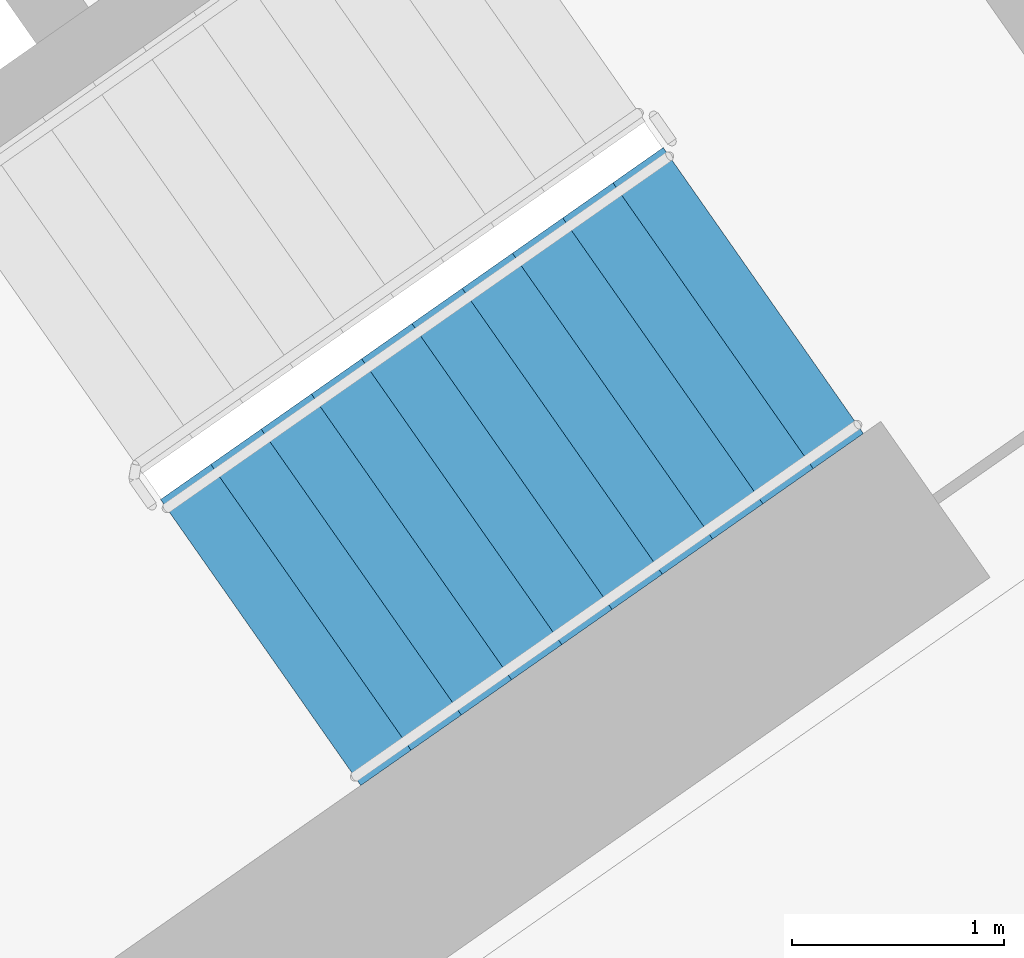
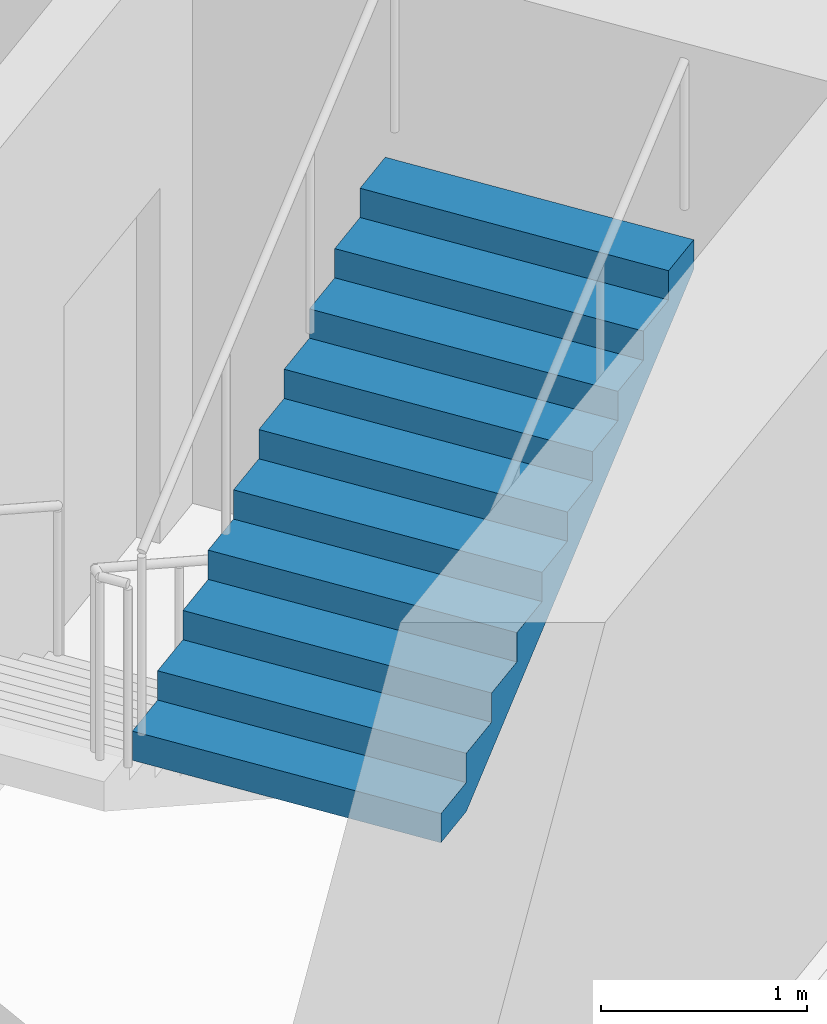
# One storey, part 15 of 29: 1 stair flight, 1 element without a shape of its own.
"""IFC4 building model written with IfcOpenShell, lengths in metres."""

import ifcopenshell
import ifcopenshell.guid

model = None  # the IFC model being written
_history = None  # IfcOwnerHistory: only IFC2X3 demands one
_inside = {}  # id of a spatial element -> (the spatial element, [elements in it])
_under = {}  # id of a project, library or spatial element -> (it, [spatial elements below it])
_declared = {}  # id of a project -> (the project, [libraries it declares])
_typed = {}  # id of a type object -> (the type object, [elements of that type])
_made_of = {}  # id of a material, layer set ... -> (it, [elements and type objects made of it])


def new_model(schema):
    """Start an empty IFC model of exactly this schema.

    Asked for "IFC4X3", IfcOpenShell would pick the latest addendum, in which some entities
    have other attributes; the version numbers below select the first issue.
    IFC2X3 requires an IfcOwnerHistory on every rooted entity: one is made here for all.
    """
    global model, _history
    if schema == "IFC4X3":
        model = ifcopenshell.file(schema_version=(4, 3, 0, 0))
    else:
        model = ifcopenshell.file(schema=schema)
    _inside.clear()
    _under.clear()
    _declared.clear()
    _typed.clear()
    _made_of.clear()
    _history = None
    if model.schema == "IFC2X3":
        org = make("IfcOrganization", Name="unknown")
        user = make(
            "IfcPersonAndOrganization",
            ThePerson=make("IfcPerson", FamilyName="unknown"),
            TheOrganization=org,
        )
        app = make(
            "IfcApplication",
            ApplicationDeveloper=org,
            Version="unknown",
            ApplicationFullName="unknown",
            ApplicationIdentifier="unknown",
        )
        _history = make(
            "IfcOwnerHistory",
            OwningUser=user,
            OwningApplication=app,
            ChangeAction="ADDED",
            CreationDate=0,
        )
    return model


def make(cls, **values):
    """One entity of the class cls with the attributes given. An attribute that is None is left unset."""
    return model.create_entity(
        cls, **{name: value for name, value in values.items() if value is not None}
    )


def rooted(cls, **values):
    """An entity with a GlobalId (a new one), such as an element, a storey or a relation."""
    return make(cls, GlobalId=ifcopenshell.guid.new(), OwnerHistory=_history, **values)


def si_unit(unit_type, name, prefix=None):
    """IfcSIUnit, for example si_unit("LENGTHUNIT", "METRE", prefix="MILLI")."""
    return make("IfcSIUnit", UnitType=unit_type, Prefix=prefix, Name=name)


def assignment(units):
    """IfcUnitAssignment: the units of a project."""
    return None if units is None else make("IfcUnitAssignment", Units=units)


def point(xyz):
    """IfcCartesianPoint."""
    return None if xyz is None else make("IfcCartesianPoint", Coordinates=xyz)


def direction(xyz):
    """IfcDirection."""
    return None if xyz is None else make("IfcDirection", DirectionRatios=xyz)


def frame(location, z_axis=None, x_axis=None):
    """IfcAxis2Placement3D, a coordinate frame: its origin and axes. An axis left out is left unset."""
    return make(
        "IfcAxis2Placement3D",
        Location=point(location),
        Axis=direction(z_axis),
        RefDirection=direction(x_axis),
    )


def origin():
    """The frame at (0, 0, 0) with its axes left unset."""
    return frame((0.0, 0.0, 0.0))


def place(relative_to, where):
    """IfcLocalPlacement: puts the frame where relative to a parent placement (None: the world)."""
    return make(
        "IfcLocalPlacement", PlacementRelTo=relative_to, RelativePlacement=where
    )


def context(
    kind, dimensions, precision=None, world=None, true_north=None, identifier=None
):
    """IfcGeometricRepresentationContext, for example the 3D "Model" context."""
    return make(
        "IfcGeometricRepresentationContext",
        ContextIdentifier=identifier,
        ContextType=kind,
        CoordinateSpaceDimension=dimensions,
        Precision=precision,
        WorldCoordinateSystem=world,
        TrueNorth=true_north,
    )


def subcontext(parent, identifier, kind, view, scale=None):
    """IfcGeometricRepresentationSubContext, for example "Body" below "Model"."""
    return make(
        "IfcGeometricRepresentationSubContext",
        ContextIdentifier=identifier,
        ContextType=kind,
        ParentContext=parent,
        TargetScale=scale,
        TargetView=view,
    )


def project(units=None, contexts=None):
    """IfcProject with its units and contexts."""
    return rooted(
        "IfcProject",
        Name="project",
        RepresentationContexts=contexts,
        UnitsInContext=assignment(units),
    )


def spatial(cls, under=None, at=None, **own):
    """A site, building, storey or space (cls), placed at a placement, below another one or the project."""
    s = rooted(cls, ObjectPlacement=at, **own)
    if under is not None:
        _under.setdefault(under.id(), (under, []))[1].append(s)
    return s


def faces_of(points, faces, orient=None, outer=None):
    """IfcFace entities. A face is a list of loops; a loop is a list of indices into points, from 0.

    orient and outer hold one flag for each loop. By default every Orientation is true, the
    first loop of a face is its IfcFaceOuterBound and the others are IfcFaceBound.
    """
    made = []
    for i, loops in enumerate(faces):
        bounds = []
        for j, loop in enumerate(loops):
            is_outer = j == 0 if outer is None else outer[i][j]
            bounds.append(
                make(
                    "IfcFaceOuterBound" if is_outer else "IfcFaceBound",
                    Bound=make("IfcPolyLoop", Polygon=[points[k] for k in loop]),
                    Orientation=True if orient is None else orient[i][j],
                )
            )
        made.append(make("IfcFace", Bounds=bounds))
    return made


def faceted_brep(points, faces, orient=None, outer=None, voids=None):
    """IfcFacetedBrep: a solid bounded by flat faces; with voids (closed shells), ...WithVoids."""
    shared = [point(p) for p in points]
    hull = make("IfcClosedShell", CfsFaces=faces_of(shared, faces, orient, outer))
    if voids is None:
        return make("IfcFacetedBrep", Outer=hull)
    return make(
        "IfcFacetedBrepWithVoids",
        Outer=hull,
        Voids=[
            make(cls, CfsFaces=faces_of(shared, fs, o, b)) for cls, fs, o, b in voids
        ],
    )


def shape(context_of_items, identifier, shape_type, items):
    """IfcShapeRepresentation: the items that make up one representation, for example the "Body"."""
    return make(
        "IfcShapeRepresentation",
        ContextOfItems=context_of_items,
        RepresentationIdentifier=identifier,
        RepresentationType=shape_type,
        Items=items,
    )


def material(Name=None, Category=None):
    """IfcMaterial."""
    return make("IfcMaterial", Name=Name, Category=Category)


def made_of(thing, what):
    """Note that an element or type object is made of a material, layer set ...; save() writes the relation."""
    if what is not None:
        _made_of.setdefault(what.id(), (what, []))[1].append(thing)
    return thing


def type_object(cls, material=None, **own):
    """A type object (cls), such as IfcWallType, which elements share."""
    return made_of(rooted(cls, **own), material)


def element(
    cls,
    number,
    at=None,
    inside=None,
    cuts=None,
    type_object=None,
    material=None,
    context=None,
    identifier="Body",
    shape_type=None,
    held_by="IfcProductDefinitionShape",
    body=None,
    shapes=None,
    **own,
):
    """One element of the class cls, such as IfcWall. Its Tag is "e" and its number.

    at: its placement. inside: the storey or other place that contains it. cuts: it is an
    opening in that element (IfcRelVoidsElement). A single representation is given by context,
    identifier, shape_type and body (its items); several are given by shapes. held_by: the class
    of the entity that holds the representations. save() writes the other relations.
    """
    e = rooted(cls, Tag="e%d" % number, ObjectPlacement=at, **own)
    if body is not None:
        shapes = [shape(context, identifier, shape_type, body)]
    if shapes is not None:
        e.Representation = make(held_by, Representations=shapes)
    if inside is not None:
        _inside.setdefault(inside.id(), (inside, []))[1].append(e)
    if cuts is not None:
        rooted(
            "IfcRelVoidsElement", RelatingBuildingElement=cuts, RelatedOpeningElement=e
        )
    if type_object is not None:
        _typed.setdefault(type_object.id(), (type_object, []))[1].append(e)
    return made_of(e, material)


def aggregate(whole, parts):
    """IfcRelAggregates: a whole, such as a stair, and the parts it consists of."""
    return rooted("IfcRelAggregates", RelatingObject=whole, RelatedObjects=parts)


def save(model, path):
    """Write the relations noted so far, then the file.

    IfcRelAggregates (storeys below a building ...), IfcRelContainedInSpatialStructure (elements
    in a storey), IfcRelDefinesByType, IfcRelAssociatesMaterial and IfcRelDeclares: one each for
    every whole, place, type object, material and project.
    """
    for whole, parts in _under.values():
        aggregate(whole, parts)
    for where, things in _inside.values():
        rooted(
            "IfcRelContainedInSpatialStructure",
            RelatedElements=things,
            RelatingStructure=where,
        )
    for kind, things in _typed.values():
        rooted("IfcRelDefinesByType", RelatedObjects=things, RelatingType=kind)
    for what, things in _made_of.values():
        rooted("IfcRelAssociatesMaterial", RelatedObjects=things, RelatingMaterial=what)
    for by, libraries in _declared.values():
        rooted("IfcRelDeclares", RelatingContext=by, RelatedDefinitions=libraries)
    model.write(path)


model = new_model("IFC4")

# Units and contexts
model_context = context("Model", 3, precision=1e-05, world=origin(), true_north=direction((0.0, 1.0)))
body_context = subcontext(model_context, "Body", "Model", "MODEL_VIEW")
ifc_project = project(units=[si_unit("LENGTHUNIT", "METRE"), si_unit("AREAUNIT", "SQUARE_METRE"), si_unit("VOLUMEUNIT", "CUBIC_METRE"), si_unit("PLANEANGLEUNIT", "RADIAN"), si_unit("MASSUNIT", "GRAM", prefix="KILO")], contexts=[model_context])

# Site, building, storey
site_placement = place(None, origin())
site = spatial("IfcSite", under=ifc_project, at=site_placement, CompositionType="ELEMENT")
building_placement = place(site_placement, origin())
building = spatial("IfcBuilding", under=site, at=building_placement, Name="Qamariyya Broadcast Tower", CompositionType="ELEMENT")
storey_placement = place(building_placement, frame((0.0, 0.0, 121.5)))
storey = spatial("IfcBuildingStorey", under=building, at=storey_placement, Name="L27", CompositionType="ELEMENT", Elevation=121.5)

# Stair, stair flight
ifc_material = material(Name="Concrete C50/60", Category="concrete")
stair_type = type_object("IfcStairType", Name="Exit stair 22 risers of 173 mm", PredefinedType="HALF_TURN_STAIR", material=ifc_material)
stair_placement = place(storey_placement, origin())
stair = element("IfcStair", 1, at=stair_placement, inside=storey, type_object=stair_type, Name="L27 Stair E1", PredefinedType="HALF_TURN_STAIR")
stair_flight_type = type_object("IfcStairFlightType", Name="Exit stair flight 11 risers of 173 mm", PredefinedType="STRAIGHT", material=ifc_material)
stair_flight_placement = place(storey_placement, frame((44.693359375, -58.64599609375, 1.89990234375), z_axis=(0.0, 0.0, 1.0), x_axis=(0.819152044289, 0.573576436351, 0.0)))
stair_flight = element("IfcStairFlight", 2, at=stair_flight_placement, type_object=stair_flight_type, Name="ST-E1 flight 2", NumberOfRisers=11, NumberOfTreads=10, PredefinedType="STRAIGHT", RiserHeight=0.172727273, TreadLength=0.29, context=body_context, shape_type="Brep", body=[
    faceted_brep([(0.0, 0.824951171875, 0.0), (0.0, 0.824951171875, 0.172607421875), (0.2900390625, 0.824951171875, 0.172607421875), (0.2900390625, 0.824951171875, 0.345458984375), (0.580078125, 0.824951171875, 0.345458984375), (0.580078125, 0.824951171875, 0.51806640625), (0.8701171875, 0.824951171875, 0.51806640625), (0.8701171875, 0.824951171875, 0.69091796875), (1.159912109375, 0.824951171875, 0.69091796875), (1.159912109375, 0.824951171875, 0.863525390625), (1.449951171875, 0.824951171875, 0.863525390625), (1.449951171875, 0.824951171875, 1.036376953125), (1.739990234375, 0.824951171875, 1.036376953125), (1.739990234375, 0.824951171875, 1.208984375), (2.030029296875, 0.824951171875, 1.208984375), (2.030029296875, 0.824951171875, 1.3818359375), (2.320068359375, 0.824951171875, 1.3818359375), (2.320068359375, 0.824951171875, 1.554443359375), (2.610107421875, 0.824951171875, 1.554443359375), (2.610107421875, 0.824951171875, 1.727294921875), (2.89990234375, 0.824951171875, 1.727294921875), (2.89990234375, 0.824951171875, 1.552734375), (0.29296875, 0.824951171875, 0.0), (0.29296875, -0.824951171875, 0.0), (2.89990234375, -0.824951171875, 1.552734375), (2.89990234375, -0.824951171875, 1.727294921875), (2.610107421875, -0.824951171875, 1.727294921875), (2.610107421875, -0.824951171875, 1.554443359375), (2.320068359375, -0.824951171875, 1.554443359375), (2.320068359375, -0.824951171875, 1.3818359375), (2.030029296875, -0.824951171875, 1.3818359375), (2.030029296875, -0.824951171875, 1.208984375), (1.739990234375, -0.824951171875, 1.208984375), (1.739990234375, -0.824951171875, 1.036376953125), (1.449951171875, -0.824951171875, 1.036376953125), (1.449951171875, -0.824951171875, 0.863525390625), (1.159912109375, -0.824951171875, 0.863525390625), (1.159912109375, -0.824951171875, 0.69091796875), (0.8701171875, -0.824951171875, 0.69091796875), (0.8701171875, -0.824951171875, 0.51806640625), (0.580078125, -0.824951171875, 0.51806640625), (0.580078125, -0.824951171875, 0.345458984375), (0.2900390625, -0.824951171875, 0.345458984375), (0.2900390625, -0.824951171875, 0.172607421875), (0.0, -0.824951171875, 0.172607421875), (0.0, -0.824951171875, 0.0), (0.0, 0.10009765625, 0.0), (0.0, 0.086669921875, 0.0), (0.0, 0.0732421875, 0.0), (0.0, 0.06005859375, 0.0), (0.0, 0.046630859375, 0.0), (0.0, 0.033447265625, 0.0), (0.0, 0.02001953125, 0.0), (0.0, 0.006591796875, 0.0), (0.0, -0.006591796875, 0.0), (0.0, -0.02001953125, 0.0), (0.0, -0.033447265625, 0.0), (0.0, -0.046630859375, 0.0), (0.0, -0.06005859375, 0.0), (0.0, -0.0732421875, 0.0), (0.0, -0.086669921875, 0.0), (0.0, -0.10009765625, 0.0), (0.0, -0.10009765625, 0.172607421875), (0.0, -0.086669921875, 0.172607421875), (0.0, -0.0732421875, 0.172607421875), (0.0, -0.06005859375, 0.172607421875), (0.0, -0.046630859375, 0.172607421875), (0.0, -0.033447265625, 0.172607421875), (0.0, -0.02001953125, 0.172607421875), (0.0, -0.006591796875, 0.172607421875), (0.0, 0.006591796875, 0.172607421875), (0.0, 0.02001953125, 0.172607421875), (0.0, 0.033447265625, 0.172607421875), (0.0, 0.046630859375, 0.172607421875), (0.0, 0.06005859375, 0.172607421875), (0.0, 0.0732421875, 0.172607421875), (0.0, 0.086669921875, 0.172607421875), (0.0, 0.10009765625, 0.172607421875), (0.2900390625, -0.10009765625, 0.172607421875), (0.2900390625, -0.086669921875, 0.172607421875), (0.2900390625, -0.0732421875, 0.172607421875), (0.2900390625, -0.06005859375, 0.172607421875), (0.2900390625, -0.046630859375, 0.172607421875), (0.2900390625, -0.033447265625, 0.172607421875), (0.2900390625, -0.02001953125, 0.172607421875), (0.2900390625, -0.006591796875, 0.172607421875), (0.2900390625, 0.006591796875, 0.172607421875), (0.2900390625, 0.02001953125, 0.172607421875), (0.2900390625, 0.033447265625, 0.172607421875), (0.2900390625, 0.046630859375, 0.172607421875), (0.2900390625, 0.06005859375, 0.172607421875), (0.2900390625, 0.0732421875, 0.172607421875), (0.2900390625, 0.086669921875, 0.172607421875), (0.2900390625, 0.10009765625, 0.172607421875), (0.2900390625, -0.10009765625, 0.345458984375), (0.2900390625, -0.086669921875, 0.345458984375), (0.2900390625, -0.0732421875, 0.345458984375), (0.2900390625, -0.06005859375, 0.345458984375), (0.2900390625, -0.046630859375, 0.345458984375), (0.2900390625, -0.033447265625, 0.345458984375), (0.2900390625, -0.02001953125, 0.345458984375), (0.2900390625, -0.006591796875, 0.345458984375), (0.2900390625, 0.006591796875, 0.345458984375), (0.2900390625, 0.02001953125, 0.345458984375), (0.2900390625, 0.033447265625, 0.345458984375), (0.2900390625, 0.046630859375, 0.345458984375), (0.2900390625, 0.06005859375, 0.345458984375), (0.2900390625, 0.0732421875, 0.345458984375), (0.2900390625, 0.086669921875, 0.345458984375), (0.2900390625, 0.10009765625, 0.345458984375), (0.580078125, -0.10009765625, 0.345458984375), (0.580078125, -0.086669921875, 0.345458984375), (0.580078125, -0.0732421875, 0.345458984375), (0.580078125, -0.06005859375, 0.345458984375), (0.580078125, -0.046630859375, 0.345458984375), (0.580078125, -0.033447265625, 0.345458984375), (0.580078125, -0.02001953125, 0.345458984375), (0.580078125, -0.006591796875, 0.345458984375), (0.580078125, 0.006591796875, 0.345458984375), (0.580078125, 0.02001953125, 0.345458984375), (0.580078125, 0.033447265625, 0.345458984375), (0.580078125, 0.046630859375, 0.345458984375), (0.580078125, 0.06005859375, 0.345458984375), (0.580078125, 0.0732421875, 0.345458984375), (0.580078125, 0.086669921875, 0.345458984375), (0.580078125, 0.10009765625, 0.345458984375), (0.580078125, -0.10009765625, 0.51806640625), (0.580078125, -0.086669921875, 0.51806640625), (0.580078125, -0.0732421875, 0.51806640625), (0.580078125, -0.06005859375, 0.51806640625), (0.580078125, -0.046630859375, 0.51806640625), (0.580078125, -0.033447265625, 0.51806640625), (0.580078125, -0.02001953125, 0.51806640625), (0.580078125, -0.006591796875, 0.51806640625), (0.580078125, 0.006591796875, 0.51806640625), (0.580078125, 0.02001953125, 0.51806640625), (0.580078125, 0.033447265625, 0.51806640625), (0.580078125, 0.046630859375, 0.51806640625), (0.580078125, 0.06005859375, 0.51806640625), (0.580078125, 0.0732421875, 0.51806640625), (0.580078125, 0.086669921875, 0.51806640625), (0.580078125, 0.10009765625, 0.51806640625), (0.8701171875, -0.10009765625, 0.51806640625), (0.8701171875, -0.086669921875, 0.51806640625), (0.8701171875, -0.0732421875, 0.51806640625), (0.8701171875, -0.06005859375, 0.51806640625), (0.8701171875, -0.046630859375, 0.51806640625), (0.8701171875, -0.033447265625, 0.51806640625), (0.8701171875, -0.02001953125, 0.51806640625), (0.8701171875, -0.006591796875, 0.51806640625), (0.8701171875, 0.006591796875, 0.51806640625), (0.8701171875, 0.02001953125, 0.51806640625), (0.8701171875, 0.033447265625, 0.51806640625), (0.8701171875, 0.046630859375, 0.51806640625), (0.8701171875, 0.06005859375, 0.51806640625), (0.8701171875, 0.0732421875, 0.51806640625), (0.8701171875, 0.086669921875, 0.51806640625), (0.8701171875, 0.10009765625, 0.51806640625), (0.8701171875, -0.10009765625, 0.69091796875), (0.8701171875, -0.086669921875, 0.69091796875), (0.8701171875, -0.0732421875, 0.69091796875), (0.8701171875, -0.06005859375, 0.69091796875), (0.8701171875, -0.046630859375, 0.69091796875), (0.8701171875, -0.033447265625, 0.69091796875), (0.8701171875, -0.02001953125, 0.69091796875), (0.8701171875, -0.006591796875, 0.69091796875), (0.8701171875, 0.006591796875, 0.69091796875), (0.8701171875, 0.02001953125, 0.69091796875), (0.8701171875, 0.033447265625, 0.69091796875), (0.8701171875, 0.046630859375, 0.69091796875), (0.8701171875, 0.06005859375, 0.69091796875), (0.8701171875, 0.0732421875, 0.69091796875), (0.8701171875, 0.086669921875, 0.69091796875), (0.8701171875, 0.10009765625, 0.69091796875), (1.159912109375, -0.10009765625, 0.69091796875), (1.159912109375, -0.086669921875, 0.69091796875), (1.159912109375, -0.0732421875, 0.69091796875), (1.159912109375, -0.06005859375, 0.69091796875), (1.159912109375, -0.046630859375, 0.69091796875), (1.159912109375, -0.033447265625, 0.69091796875), (1.159912109375, -0.02001953125, 0.69091796875), (1.159912109375, -0.006591796875, 0.69091796875), (1.159912109375, 0.006591796875, 0.69091796875), (1.159912109375, 0.02001953125, 0.69091796875), (1.159912109375, 0.033447265625, 0.69091796875), (1.159912109375, 0.046630859375, 0.69091796875), (1.159912109375, 0.06005859375, 0.69091796875), (1.159912109375, 0.0732421875, 0.69091796875), (1.159912109375, 0.086669921875, 0.69091796875), (1.159912109375, 0.10009765625, 0.69091796875), (1.159912109375, -0.10009765625, 0.863525390625), (1.159912109375, -0.086669921875, 0.863525390625), (1.159912109375, -0.0732421875, 0.863525390625), (1.159912109375, -0.06005859375, 0.863525390625), (1.159912109375, -0.046630859375, 0.863525390625), (1.159912109375, -0.033447265625, 0.863525390625), (1.159912109375, -0.02001953125, 0.863525390625), (1.159912109375, -0.006591796875, 0.863525390625), (1.159912109375, 0.006591796875, 0.863525390625), (1.159912109375, 0.02001953125, 0.863525390625), (1.159912109375, 0.033447265625, 0.863525390625), (1.159912109375, 0.046630859375, 0.863525390625), (1.159912109375, 0.06005859375, 0.863525390625), (1.159912109375, 0.0732421875, 0.863525390625), (1.159912109375, 0.086669921875, 0.863525390625), (1.159912109375, 0.10009765625, 0.863525390625), (1.449951171875, -0.10009765625, 0.863525390625), (1.449951171875, -0.086669921875, 0.863525390625), (1.449951171875, -0.0732421875, 0.863525390625), (1.449951171875, -0.06005859375, 0.863525390625), (1.449951171875, -0.046630859375, 0.863525390625), (1.449951171875, -0.033447265625, 0.863525390625), (1.449951171875, -0.02001953125, 0.863525390625), (1.449951171875, -0.006591796875, 0.863525390625), (1.449951171875, 0.006591796875, 0.863525390625), (1.449951171875, 0.02001953125, 0.863525390625), (1.449951171875, 0.033447265625, 0.863525390625), (1.449951171875, 0.046630859375, 0.863525390625), (1.449951171875, 0.06005859375, 0.863525390625), (1.449951171875, 0.0732421875, 0.863525390625), (1.449951171875, 0.086669921875, 0.863525390625), (1.449951171875, 0.10009765625, 0.863525390625), (1.449951171875, -0.10009765625, 1.036376953125), (1.449951171875, -0.086669921875, 1.036376953125), (1.449951171875, -0.0732421875, 1.036376953125), (1.449951171875, -0.06005859375, 1.036376953125), (1.449951171875, -0.046630859375, 1.036376953125), (1.449951171875, -0.033447265625, 1.036376953125), (1.449951171875, -0.02001953125, 1.036376953125), (1.449951171875, -0.006591796875, 1.036376953125), (1.449951171875, 0.006591796875, 1.036376953125), (1.449951171875, 0.02001953125, 1.036376953125), (1.449951171875, 0.033447265625, 1.036376953125), (1.449951171875, 0.046630859375, 1.036376953125), (1.449951171875, 0.06005859375, 1.036376953125), (1.449951171875, 0.0732421875, 1.036376953125), (1.449951171875, 0.086669921875, 1.036376953125), (1.449951171875, 0.10009765625, 1.036376953125), (1.739990234375, -0.10009765625, 1.036376953125), (1.739990234375, -0.086669921875, 1.036376953125), (1.739990234375, -0.0732421875, 1.036376953125), (1.739990234375, -0.06005859375, 1.036376953125), (1.739990234375, -0.046630859375, 1.036376953125), (1.739990234375, -0.033447265625, 1.036376953125), (1.739990234375, -0.02001953125, 1.036376953125), (1.739990234375, -0.006591796875, 1.036376953125), (1.739990234375, 0.006591796875, 1.036376953125), (1.739990234375, 0.02001953125, 1.036376953125), (1.739990234375, 0.033447265625, 1.036376953125), (1.739990234375, 0.046630859375, 1.036376953125), (1.739990234375, 0.06005859375, 1.036376953125), (1.739990234375, 0.0732421875, 1.036376953125), (1.739990234375, 0.086669921875, 1.036376953125), (1.739990234375, 0.10009765625, 1.036376953125), (1.739990234375, -0.10009765625, 1.208984375), (1.739990234375, -0.086669921875, 1.208984375), (1.739990234375, -0.0732421875, 1.208984375), (1.739990234375, -0.06005859375, 1.208984375), (1.739990234375, -0.046630859375, 1.208984375), (1.739990234375, -0.033447265625, 1.208984375), (1.739990234375, -0.02001953125, 1.208984375), (1.739990234375, -0.006591796875, 1.208984375), (1.739990234375, 0.006591796875, 1.208984375), (1.739990234375, 0.02001953125, 1.208984375), (1.739990234375, 0.033447265625, 1.208984375), (1.739990234375, 0.046630859375, 1.208984375), (1.739990234375, 0.06005859375, 1.208984375), (1.739990234375, 0.0732421875, 1.208984375), (1.739990234375, 0.086669921875, 1.208984375), (1.739990234375, 0.10009765625, 1.208984375), (2.030029296875, -0.10009765625, 1.208984375), (2.030029296875, -0.086669921875, 1.208984375), (2.030029296875, -0.0732421875, 1.208984375), (2.030029296875, -0.06005859375, 1.208984375), (2.030029296875, -0.046630859375, 1.208984375), (2.030029296875, -0.033447265625, 1.208984375), (2.030029296875, -0.02001953125, 1.208984375), (2.030029296875, -0.006591796875, 1.208984375), (2.030029296875, 0.006591796875, 1.208984375), (2.030029296875, 0.02001953125, 1.208984375), (2.030029296875, 0.033447265625, 1.208984375), (2.030029296875, 0.046630859375, 1.208984375), (2.030029296875, 0.06005859375, 1.208984375), (2.030029296875, 0.0732421875, 1.208984375), (2.030029296875, 0.086669921875, 1.208984375), (2.030029296875, 0.10009765625, 1.208984375), (2.030029296875, -0.10009765625, 1.3818359375), (2.030029296875, -0.086669921875, 1.3818359375), (2.030029296875, -0.0732421875, 1.3818359375), (2.030029296875, -0.06005859375, 1.3818359375), (2.030029296875, -0.046630859375, 1.3818359375), (2.030029296875, -0.033447265625, 1.3818359375), (2.030029296875, -0.02001953125, 1.3818359375), (2.030029296875, -0.006591796875, 1.3818359375), (2.030029296875, 0.006591796875, 1.3818359375), (2.030029296875, 0.02001953125, 1.3818359375), (2.030029296875, 0.033447265625, 1.3818359375), (2.030029296875, 0.046630859375, 1.3818359375), (2.030029296875, 0.06005859375, 1.3818359375), (2.030029296875, 0.0732421875, 1.3818359375), (2.030029296875, 0.086669921875, 1.3818359375), (2.030029296875, 0.10009765625, 1.3818359375), (2.320068359375, -0.10009765625, 1.3818359375), (2.320068359375, -0.086669921875, 1.3818359375), (2.320068359375, -0.0732421875, 1.3818359375), (2.320068359375, -0.06005859375, 1.3818359375), (2.320068359375, -0.046630859375, 1.3818359375), (2.320068359375, -0.033447265625, 1.3818359375), (2.320068359375, -0.02001953125, 1.3818359375), (2.320068359375, -0.006591796875, 1.3818359375), (2.320068359375, 0.006591796875, 1.3818359375), (2.320068359375, 0.02001953125, 1.3818359375), (2.320068359375, 0.033447265625, 1.3818359375), (2.320068359375, 0.046630859375, 1.3818359375), (2.320068359375, 0.06005859375, 1.3818359375), (2.320068359375, 0.0732421875, 1.3818359375), (2.320068359375, 0.086669921875, 1.3818359375), (2.320068359375, 0.10009765625, 1.3818359375), (2.320068359375, -0.10009765625, 1.554443359375), (2.320068359375, -0.086669921875, 1.554443359375), (2.320068359375, -0.0732421875, 1.554443359375), (2.320068359375, -0.06005859375, 1.554443359375), (2.320068359375, -0.046630859375, 1.554443359375), (2.320068359375, -0.033447265625, 1.554443359375), (2.320068359375, -0.02001953125, 1.554443359375), (2.320068359375, -0.006591796875, 1.554443359375), (2.320068359375, 0.006591796875, 1.554443359375), (2.320068359375, 0.02001953125, 1.554443359375), (2.320068359375, 0.033447265625, 1.554443359375), (2.320068359375, 0.046630859375, 1.554443359375), (2.320068359375, 0.06005859375, 1.554443359375), (2.320068359375, 0.0732421875, 1.554443359375), (2.320068359375, 0.086669921875, 1.554443359375), (2.320068359375, 0.10009765625, 1.554443359375), (2.610107421875, -0.10009765625, 1.554443359375), (2.610107421875, -0.086669921875, 1.554443359375), (2.610107421875, -0.0732421875, 1.554443359375), (2.610107421875, -0.06005859375, 1.554443359375), (2.610107421875, -0.046630859375, 1.554443359375), (2.610107421875, -0.033447265625, 1.554443359375), (2.610107421875, -0.02001953125, 1.554443359375), (2.610107421875, -0.006591796875, 1.554443359375), (2.610107421875, 0.006591796875, 1.554443359375), (2.610107421875, 0.02001953125, 1.554443359375), (2.610107421875, 0.033447265625, 1.554443359375), (2.610107421875, 0.046630859375, 1.554443359375), (2.610107421875, 0.06005859375, 1.554443359375), (2.610107421875, 0.0732421875, 1.554443359375), (2.610107421875, 0.086669921875, 1.554443359375), (2.610107421875, 0.10009765625, 1.554443359375), (2.610107421875, -0.10009765625, 1.727294921875), (2.610107421875, -0.086669921875, 1.727294921875), (2.610107421875, -0.0732421875, 1.727294921875), (2.610107421875, -0.06005859375, 1.727294921875), (2.610107421875, -0.046630859375, 1.727294921875), (2.610107421875, -0.033447265625, 1.727294921875), (2.610107421875, -0.02001953125, 1.727294921875), (2.610107421875, -0.006591796875, 1.727294921875), (2.610107421875, 0.006591796875, 1.727294921875), (2.610107421875, 0.02001953125, 1.727294921875), (2.610107421875, 0.033447265625, 1.727294921875), (2.610107421875, 0.046630859375, 1.727294921875), (2.610107421875, 0.06005859375, 1.727294921875), (2.610107421875, 0.0732421875, 1.727294921875), (2.610107421875, 0.086669921875, 1.727294921875), (2.610107421875, 0.10009765625, 1.727294921875), (2.89990234375, -0.10009765625, 1.727294921875), (2.89990234375, -0.086669921875, 1.727294921875), (2.89990234375, -0.0732421875, 1.727294921875), (2.89990234375, -0.06005859375, 1.727294921875), (2.89990234375, -0.046630859375, 1.727294921875), (2.89990234375, -0.033447265625, 1.727294921875), (2.89990234375, -0.02001953125, 1.727294921875), (2.89990234375, -0.006591796875, 1.727294921875), (2.89990234375, 0.006591796875, 1.727294921875), (2.89990234375, 0.02001953125, 1.727294921875), (2.89990234375, 0.033447265625, 1.727294921875), (2.89990234375, 0.046630859375, 1.727294921875), (2.89990234375, 0.06005859375, 1.727294921875), (2.89990234375, 0.0732421875, 1.727294921875), (2.89990234375, 0.086669921875, 1.727294921875), (2.89990234375, 0.10009765625, 1.727294921875), (2.89990234375, -0.10009765625, 1.552734375), (2.89990234375, -0.086669921875, 1.552734375), (2.89990234375, -0.0732421875, 1.552734375), (2.89990234375, -0.06005859375, 1.552734375), (2.89990234375, -0.046630859375, 1.552734375), (2.89990234375, -0.033447265625, 1.552734375), (2.89990234375, -0.02001953125, 1.552734375), (2.89990234375, -0.006591796875, 1.552734375), (2.89990234375, 0.006591796875, 1.552734375), (2.89990234375, 0.02001953125, 1.552734375), (2.89990234375, 0.033447265625, 1.552734375), (2.89990234375, 0.046630859375, 1.552734375), (2.89990234375, 0.06005859375, 1.552734375), (2.89990234375, 0.0732421875, 1.552734375), (2.89990234375, 0.086669921875, 1.552734375), (2.89990234375, 0.10009765625, 1.552734375), (0.29296875, -0.10009765625, 0.0), (0.29296875, -0.086669921875, 0.0), (0.29296875, -0.0732421875, 0.0), (0.29296875, -0.06005859375, 0.0), (0.29296875, -0.046630859375, 0.0), (0.29296875, -0.033447265625, 0.0), (0.29296875, -0.02001953125, 0.0), (0.29296875, -0.006591796875, 0.0), (0.29296875, 0.006591796875, 0.0), (0.29296875, 0.02001953125, 0.0), (0.29296875, 0.033447265625, 0.0), (0.29296875, 0.046630859375, 0.0), (0.29296875, 0.06005859375, 0.0), (0.29296875, 0.0732421875, 0.0), (0.29296875, 0.086669921875, 0.0), (0.29296875, 0.10009765625, 0.0)], [[[0, 1, 2, 3, 4, 5, 6, 7, 8, 9, 10, 11, 12, 13, 14, 15, 16, 17, 18, 19, 20, 21, 22]], [[23, 24, 25, 26, 27, 28, 29, 30, 31, 32, 33, 34, 35, 36, 37, 38, 39, 40, 41, 42, 43, 44, 45]], [[0, 46, 47, 48, 49, 50, 51, 52, 53, 54, 55, 56, 57, 58, 59, 60, 61, 45, 44, 62, 63, 64, 65, 66, 67, 68, 69, 70, 71, 72, 73, 74, 75, 76, 77, 1]], [[1, 77, 76, 75, 74, 73, 72, 71, 70, 69, 68, 67, 66, 65, 64, 63, 62, 44, 43, 78, 79, 80, 81, 82, 83, 84, 85, 86, 87, 88, 89, 90, 91, 92, 93, 2]], [[2, 93, 92, 91, 90, 89, 88, 87, 86, 85, 84, 83, 82, 81, 80, 79, 78, 43, 42, 94, 95, 96, 97, 98, 99, 100, 101, 102, 103, 104, 105, 106, 107, 108, 109, 3]], [[3, 109, 108, 107, 106, 105, 104, 103, 102, 101, 100, 99, 98, 97, 96, 95, 94, 42, 41, 110, 111, 112, 113, 114, 115, 116, 117, 118, 119, 120, 121, 122, 123, 124, 125, 4]], [[4, 125, 124, 123, 122, 121, 120, 119, 118, 117, 116, 115, 114, 113, 112, 111, 110, 41, 40, 126, 127, 128, 129, 130, 131, 132, 133, 134, 135, 136, 137, 138, 139, 140, 141, 5]], [[5, 141, 140, 139, 138, 137, 136, 135, 134, 133, 132, 131, 130, 129, 128, 127, 126, 40, 39, 142, 143, 144, 145, 146, 147, 148, 149, 150, 151, 152, 153, 154, 155, 156, 157, 6]], [[6, 157, 156, 155, 154, 153, 152, 151, 150, 149, 148, 147, 146, 145, 144, 143, 142, 39, 38, 158, 159, 160, 161, 162, 163, 164, 165, 166, 167, 168, 169, 170, 171, 172, 173, 7]], [[7, 173, 172, 171, 170, 169, 168, 167, 166, 165, 164, 163, 162, 161, 160, 159, 158, 38, 37, 174, 175, 176, 177, 178, 179, 180, 181, 182, 183, 184, 185, 186, 187, 188, 189, 8]], [[8, 189, 188, 187, 186, 185, 184, 183, 182, 181, 180, 179, 178, 177, 176, 175, 174, 37, 36, 190, 191, 192, 193, 194, 195, 196, 197, 198, 199, 200, 201, 202, 203, 204, 205, 9]], [[9, 205, 204, 203, 202, 201, 200, 199, 198, 197, 196, 195, 194, 193, 192, 191, 190, 36, 35, 206, 207, 208, 209, 210, 211, 212, 213, 214, 215, 216, 217, 218, 219, 220, 221, 10]], [[10, 221, 220, 219, 218, 217, 216, 215, 214, 213, 212, 211, 210, 209, 208, 207, 206, 35, 34, 222, 223, 224, 225, 226, 227, 228, 229, 230, 231, 232, 233, 234, 235, 236, 237, 11]], [[11, 237, 236, 235, 234, 233, 232, 231, 230, 229, 228, 227, 226, 225, 224, 223, 222, 34, 33, 238, 239, 240, 241, 242, 243, 244, 245, 246, 247, 248, 249, 250, 251, 252, 253, 12]], [[12, 253, 252, 251, 250, 249, 248, 247, 246, 245, 244, 243, 242, 241, 240, 239, 238, 33, 32, 254, 255, 256, 257, 258, 259, 260, 261, 262, 263, 264, 265, 266, 267, 268, 269, 13]], [[13, 269, 268, 267, 266, 265, 264, 263, 262, 261, 260, 259, 258, 257, 256, 255, 254, 32, 31, 270, 271, 272, 273, 274, 275, 276, 277, 278, 279, 280, 281, 282, 283, 284, 285, 14]], [[14, 285, 284, 283, 282, 281, 280, 279, 278, 277, 276, 275, 274, 273, 272, 271, 270, 31, 30, 286, 287, 288, 289, 290, 291, 292, 293, 294, 295, 296, 297, 298, 299, 300, 301, 15]], [[15, 301, 300, 299, 298, 297, 296, 295, 294, 293, 292, 291, 290, 289, 288, 287, 286, 30, 29, 302, 303, 304, 305, 306, 307, 308, 309, 310, 311, 312, 313, 314, 315, 316, 317, 16]], [[16, 317, 316, 315, 314, 313, 312, 311, 310, 309, 308, 307, 306, 305, 304, 303, 302, 29, 28, 318, 319, 320, 321, 322, 323, 324, 325, 326, 327, 328, 329, 330, 331, 332, 333, 17]], [[17, 333, 332, 331, 330, 329, 328, 327, 326, 325, 324, 323, 322, 321, 320, 319, 318, 28, 27, 334, 335, 336, 337, 338, 339, 340, 341, 342, 343, 344, 345, 346, 347, 348, 349, 18]], [[18, 349, 348, 347, 346, 345, 344, 343, 342, 341, 340, 339, 338, 337, 336, 335, 334, 27, 26, 350, 351, 352, 353, 354, 355, 356, 357, 358, 359, 360, 361, 362, 363, 364, 365, 19]], [[19, 365, 364, 363, 362, 361, 360, 359, 358, 357, 356, 355, 354, 353, 352, 351, 350, 26, 25, 366, 367, 368, 369, 370, 371, 372, 373, 374, 375, 376, 377, 378, 379, 380, 381, 20]], [[20, 381, 380, 379, 378, 377, 376, 375, 374, 373, 372, 371, 370, 369, 368, 367, 366, 25, 24, 382, 383, 384, 385, 386, 387, 388, 389, 390, 391, 392, 393, 394, 395, 396, 397, 21]], [[21, 397, 396, 395, 394, 393, 392, 391, 390, 389, 388, 387, 386, 385, 384, 383, 382, 24, 23, 398, 399, 400, 401, 402, 403, 404, 405, 406, 407, 408, 409, 410, 411, 412, 413, 22]], [[22, 413, 412, 411, 410, 409, 408, 407, 406, 405, 404, 403, 402, 401, 400, 399, 398, 23, 45, 61, 60, 59, 58, 57, 56, 55, 54, 53, 52, 51, 50, 49, 48, 47, 46, 0]]]),
])
aggregate(stair, [stair_flight])

save(model, "model.ifc")
